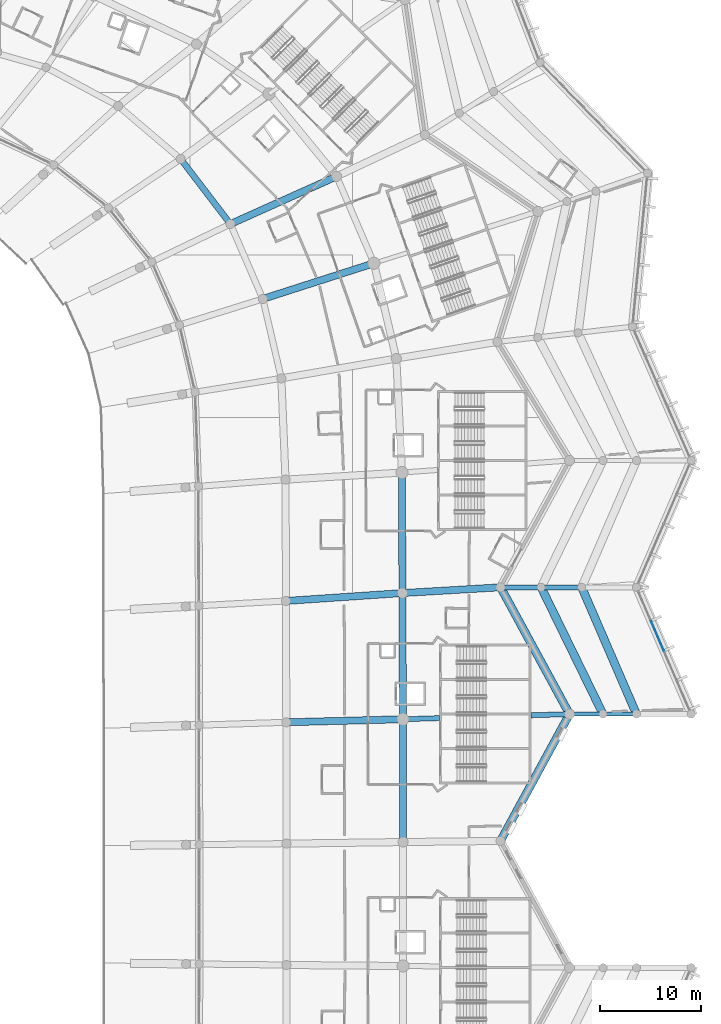
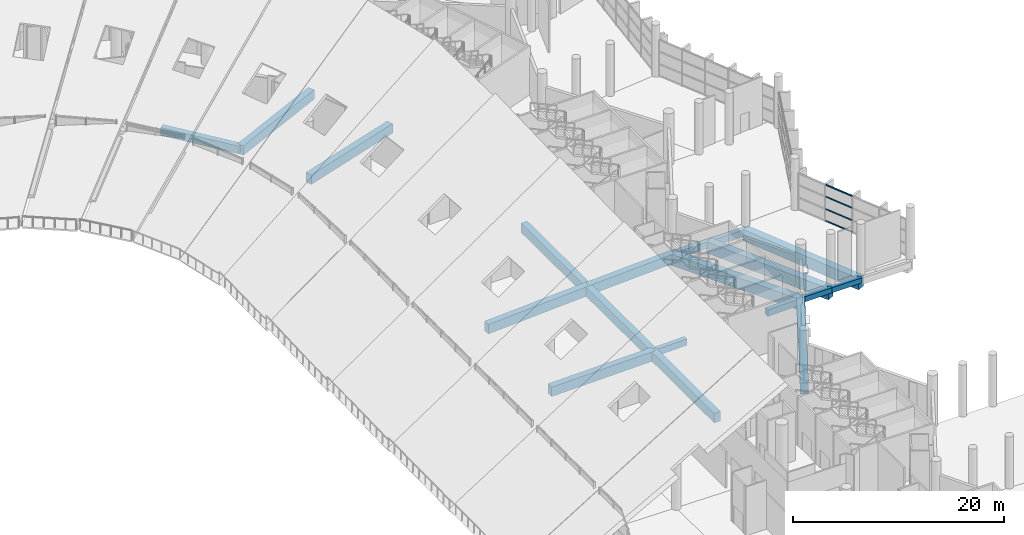
# One storey, part 80 of 249: 19 beams, 4 members, 1 element without a shape of its own.
"""IFC4 building model written with IfcOpenShell, lengths in metres."""

from ifc_helpers import new_model, si_unit, direction, frame, origin, origin_2d, place, context, subcontext, project, spatial, rectangle, extrude, material, layer, layer_set, material_profile, profile_set, type_object, element, aggregate, save


model = new_model("IFC4")

# Units and contexts
model_context = context("Model", 3, precision=1e-05, world=origin(), true_north=direction((0.0, 1.0)))
body_context = subcontext(model_context, "Body", "Model", "MODEL_VIEW")
ifc_project = project(units=[si_unit("LENGTHUNIT", "METRE"), si_unit("AREAUNIT", "SQUARE_METRE"), si_unit("VOLUMEUNIT", "CUBIC_METRE"), si_unit("PLANEANGLEUNIT", "RADIAN"), si_unit("MASSUNIT", "GRAM", prefix="KILO")], contexts=[model_context])

# Site, building, storey
site_placement = place(None, origin())
site = spatial("IfcSite", under=ifc_project, at=site_placement, CompositionType="ELEMENT")
building_placement = place(site_placement, origin())
building = spatial("IfcBuilding", under=site, at=building_placement, Name="Meseta Stadium", CompositionType="ELEMENT")
storey_placement = place(building_placement, frame((0.0, 0.0, 12.0)))
storey = spatial("IfcBuildingStorey", under=building, at=storey_placement, Name="L02", CompositionType="ELEMENT", Elevation=12.0)

# Beams
ifc_material_1 = material(Name="Concrete C40/50", Category="concrete")
ifc_material_profile_1 = material_profile(ifc_material_1, rectangle(XDim=0.39990234375, YDim=0.60009765625, at=origin_2d()), Name="RC 400x600")
ifc_profile_set_1 = profile_set([ifc_material_profile_1], Name="Concrete C40/50")
beam_type_1 = type_object("IfcBeamType", Name="RC beam 400x600", PredefinedType="BEAM", material=ifc_profile_set_1)
for number, where, z_axis, x_axis, name in (
    (1, (101.39990234375, 18.75, -0.64990234375), (1.0, 0.0, 0.0), (0.0, 1.0, 0.0), "L02 radial beam frame 6 line R to M"),
    (2, (104.699951171875, 18.75, -0.64990234375), (1.0, 0.0, 0.0), (0.0, 1.0, 0.0), "L02 radial beam frame 6 line M to Q"),
):
    element("IfcBeam", number, at=place(storey_placement, frame(where, z_axis=z_axis, x_axis=x_axis)), inside=storey, type_object=beam_type_1, Name=name, PredefinedType="BEAM", context=body_context, shape_type="SweptSolid", body=[
        extrude(rectangle(XDim=0.39990234375, YDim=0.60009765625, at=origin_2d()), origin(), (0.0, 0.0, 1.0), 3.300048828125),
    ])
ifc_material_2 = material(Name="Concrete C40/50", Category="concrete")
ifc_material_profile_2 = material_profile(ifc_material_2, rectangle(XDim=0.5, YDim=0.75, at=origin_2d()), Name="RC 500x750")
ifc_profile_set_2 = profile_set([ifc_material_profile_2], Name="Concrete C40/50")
beam_type_2 = type_object("IfcBeamType", Name="RC beam 500x750", PredefinedType="BEAM", material=ifc_profile_set_2)
beam_1_placement = place(storey_placement, frame((84.978515625, 18.24365234375, -0.72509765625), z_axis=(0.999525783299, 0.030792994672, 0.0), x_axis=(-0.030792994672, 0.999525783299, 0.0)))
element("IfcBeam", 3, at=beam_1_placement, inside=storey, type_object=beam_type_2, Name="L02 radial beam frame 6 line P to R", PredefinedType="BEAM", context=body_context, shape_type="SweptSolid", body=[
    extrude(rectangle(XDim=0.5, YDim=0.75, at=origin_2d()), origin(), (0.0, 0.0, 1.0), 3.623291015625),
])
beam_2_placement = place(storey_placement, frame((97.60009765625, 18.6328125, -0.72509765625), z_axis=(0.99952477381, 0.030825744759, 0.0), x_axis=(-0.030825744759, 0.99952477381, 0.0)))
element("IfcBeam", 4, at=beam_2_placement, inside=storey, type_object=beam_type_2, Name="L02 radial beam frame 6 line P to R", PredefinedType="BEAM", context=body_context, shape_type="SweptSolid", body=[
    extrude(rectangle(XDim=0.5, YDim=0.75, at=origin_2d()), origin(), (0.0, 0.0, 1.0), 3.801513671875),
])
for number, where, z_axis, x_axis, name in (
    (5, (94.60009765625, 31.25, -0.72509765625), (1.0, 0.0, 0.0), (0.0, 1.0, 0.0), "L02 radial beam frame 7 line R to M"),
    (6, (98.60009765625, 31.25, -0.72509765625), (1.0, 0.0, 0.0), (0.0, 1.0, 0.0), "L02 radial beam frame 7 line M to Q"),
):
    element("IfcBeam", number, at=place(storey_placement, frame(where, z_axis=z_axis, x_axis=x_axis)), inside=storey, type_object=beam_type_2, Name=name, PredefinedType="BEAM", context=body_context, shape_type="SweptSolid", body=[
        extrude(rectangle(XDim=0.5, YDim=0.75, at=origin_2d()), origin(), (0.0, 0.0, 1.0), 4.0),
    ])
ifc_material_3 = material(Name="Concrete C40/50", Category="concrete")
ifc_material_profile_3 = material_profile(ifc_material_3, rectangle(XDim=0.60009765625, YDim=0.89990234375, at=origin_2d()), Name="RC 600x900")
ifc_profile_set_3 = profile_set([ifc_material_profile_3], Name="Concrete C40/50")
beam_type_3 = type_object("IfcBeamType", Name="RC beam 600x900", PredefinedType="BEAM", material=ifc_profile_set_3)
beam_3_placement = place(storey_placement, frame((67.972412109375, 67.057861328125, -0.800048828125), z_axis=(-0.607521948786, 0.794302890428, 0.0), x_axis=(-0.794302890428, -0.607521948786, 0.0)))
element("IfcBeam", 7, at=beam_3_placement, inside=storey, type_object=beam_type_3, Name="L02 ring beam frame 11 line E", PredefinedType="BEAM", context=body_context, shape_type="SweptSolid", body=[
    extrude(rectangle(XDim=0.60009765625, YDim=0.89990234375, at=origin_2d()), origin(), (0.0, 0.0, 1.0), 8.072509765625),
])
ifc_material_4 = material(Name="Concrete C40/50", Category="concrete")
ifc_material_profile_4 = material_profile(ifc_material_4, rectangle(XDim=0.699951171875, YDim=1.10009765625, at=origin_2d()), Name="RC 700x1100")
ifc_profile_set_4 = profile_set([ifc_material_profile_4], Name="Concrete C40/50")
beam_type_4 = type_object("IfcBeamType", Name="RC beam 700x1100", PredefinedType="BEAM", material=ifc_profile_set_4)
beam_4_placement = place(storey_placement, frame((84.9970703125, 6.13720703125, -0.89990234375), z_axis=(-0.001532627062, 0.999998825526, 0.0), x_axis=(-0.999998825526, -0.001532627062, 0.0)))
element("IfcBeam", 8, at=beam_4_placement, inside=storey, type_object=beam_type_4, Name="L02 ring beam frame 5 line P", PredefinedType="BEAM", context=body_context, shape_type="SweptSolid", body=[
    extrude(rectangle(XDim=0.699951171875, YDim=1.10009765625, at=origin_2d()), origin(), (0.0, 0.0, 1.0), 12.1064453125),
])
beam_5_placement = place(storey_placement, frame((84.978515625, 18.24365234375, -0.89990234375), z_axis=(-0.004279001378, 0.999990845032, 0.0), x_axis=(-0.999990845032, -0.004279001378, 0.0)))
element("IfcBeam", 9, at=beam_5_placement, inside=storey, type_object=beam_type_4, Name="L02 ring beam frame 6 line P", PredefinedType="BEAM", context=body_context, shape_type="SweptSolid", body=[
    extrude(rectangle(XDim=0.699951171875, YDim=1.10009765625, at=origin_2d()), origin(), (0.0, 0.0, 1.0), 12.43798828125),
])
beam_6_placement = place(storey_placement, frame((84.92529296875, 30.681640625, -0.89990234375), z_axis=(-0.003473057557, 0.999993968917, 0.0), x_axis=(-0.999993968917, -0.003473057557, 0.0)))
element("IfcBeam", 10, at=beam_6_placement, inside=storey, type_object=beam_type_4, Name="L02 ring beam frame 7 line P", PredefinedType="BEAM", context=body_context, shape_type="SweptSolid", body=[
    extrude(rectangle(XDim=0.699951171875, YDim=1.10009765625, at=origin_2d()), origin(), (0.0, 0.0, 1.0), 11.8798828125),
])
beam_7_placement = place(storey_placement, frame((73.482421875, 17.943603515625, -0.89990234375), z_axis=(0.999659567147, 0.026091182637, 0.0), x_axis=(-0.026091182637, 0.999659567147, 0.0)))
element("IfcBeam", 11, at=beam_7_placement, inside=storey, type_object=beam_type_4, Name="L02 radial beam frame 6 line E to P", PredefinedType="BEAM", context=body_context, shape_type="SweptSolid", body=[
    extrude(rectangle(XDim=0.699951171875, YDim=1.10009765625, at=origin_2d()), origin(), (0.0, 0.0, 1.0), 11.5),
])
beam_8_placement = place(storey_placement, frame((73.451416015625, 29.904052734375, -0.89990234375), z_axis=(0.997711474421, 0.067615189183, 0.0), x_axis=(-0.067615189183, 0.997711474421, 0.0)))
element("IfcBeam", 12, at=beam_8_placement, inside=storey, type_object=beam_type_4, Name="L02 radial beam frame 7 line E to P", PredefinedType="BEAM", context=body_context, shape_type="SweptSolid", body=[
    extrude(rectangle(XDim=0.699951171875, YDim=1.10009765625, at=origin_2d()), origin(), (0.0, 0.0, 1.0), 11.500244140625),
])
beam_9_placement = place(storey_placement, frame((84.92529296875, 30.681640625, -0.89990234375), z_axis=(0.998278887273, 0.058645231896, 0.0), x_axis=(-0.058645231896, 0.998278887273, 0.0)))
element("IfcBeam", 13, at=beam_9_placement, inside=storey, type_object=beam_type_4, Name="L02 radial beam frame 7 line P to R", PredefinedType="BEAM", context=body_context, shape_type="SweptSolid", body=[
    extrude(rectangle(XDim=0.699951171875, YDim=1.10009765625, at=origin_2d()), origin(), (0.0, 0.0, 1.0), 9.69140625),
])
beam_10_placement = place(storey_placement, frame((71.169677734375, 59.67724609375, -0.89990234375), z_axis=(0.952175117954, 0.305552850992, 0.0), x_axis=(-0.305552850992, 0.952175117954, 0.0)))
element("IfcBeam", 14, at=beam_10_placement, inside=storey, type_object=beam_type_4, Name="L02 radial beam frame 10 line E to P", PredefinedType="BEAM", context=body_context, shape_type="SweptSolid", body=[
    extrude(rectangle(XDim=0.699951171875, YDim=1.10009765625, at=origin_2d()), origin(), (0.0, 0.0, 1.0), 11.500244140625),
])
beam_11_placement = place(storey_placement, frame((67.972412109375, 67.057861328125, -0.89990234375), z_axis=(0.912395676752, 0.409309331734, 0.0), x_axis=(-0.409309331734, 0.912395676752, 0.0)))
element("IfcBeam", 15, at=beam_11_placement, inside=storey, type_object=beam_type_4, Name="L02 radial beam frame 11 line E to P", PredefinedType="BEAM", context=body_context, shape_type="SweptSolid", body=[
    extrude(rectangle(XDim=0.699951171875, YDim=1.10009765625, at=origin_2d()), origin(), (0.0, 0.0, 1.0), 11.478515625),
])
ifc_material_5 = material(Name="Concrete C40/50", Category="concrete")
ifc_material_profile_5 = material_profile(ifc_material_5, rectangle(XDim=0.800048828125, YDim=1.300048828125, at=origin_2d()), Name="RC 800x1300")
ifc_profile_set_5 = profile_set([ifc_material_profile_5], Name="Concrete C40/50")
beam_type_5 = type_object("IfcBeamType", Name="RC beam 800x1300", PredefinedType="BEAM", material=ifc_profile_set_5)
for number, where, z_axis, x_axis, name in (
    (16, (94.60009765625, 6.25, -1.0), (0.47785649891, 0.878437912689, 0.0), (-0.878437912689, 0.47785649891, 0.0), "L02 ring beam frame 5 line R"),
    (17, (101.39990234375, 18.75, -1.0), (-0.47785649891, 0.878437912689, 0.0), (-0.878437912689, -0.47785649891, 0.0), "L02 ring beam frame 6 line R"),
):
    element("IfcBeam", number, at=place(storey_placement, frame(where, z_axis=z_axis, x_axis=x_axis)), inside=storey, type_object=beam_type_5, Name=name, PredefinedType="BEAM", context=body_context, shape_type="SweptSolid", body=[
        extrude(rectangle(XDim=0.800048828125, YDim=1.300048828125, at=origin_2d()), origin(), (0.0, 0.0, 1.0), 14.229736328125),
    ])
beam_12_placement = place(storey_placement, frame((104.699951171875, 18.75, -1.0), z_axis=(-0.438556770405, 0.898703487882, 0.0), x_axis=(-0.898703487882, -0.438556770405, 0.0)))
element("IfcBeam", 18, at=beam_12_placement, inside=storey, type_object=beam_type_5, Name="L02 ring beam frame 6 line M", PredefinedType="BEAM", context=body_context, shape_type="SweptSolid", body=[
    extrude(rectangle(XDim=0.800048828125, YDim=1.300048828125, at=origin_2d()), origin(), (0.0, 0.0, 1.0), 13.908935546875),
])
beam_13_placement = place(storey_placement, frame((108.0, 18.75, -1.0), z_axis=(-0.396570645327, 0.918004206562, 0.0), x_axis=(-0.918004206562, -0.396570645327, 0.0)))
element("IfcBeam", 19, at=beam_13_placement, inside=storey, type_object=beam_type_5, Name="L02 ring beam frame 6 line Q", PredefinedType="BEAM", context=body_context, shape_type="SweptSolid", body=[
    extrude(rectangle(XDim=0.800048828125, YDim=1.300048828125, at=origin_2d()), origin(), (0.0, 0.0, 1.0), 13.616455078125),
])

# Curtain wall, members
ifc_material_6 = material(Name="Aluminium", Category="aluminium")
ifc_layer = layer(ifc_material_6, 0.199951171875)
ifc_layer_set = layer_set([ifc_layer], Name="Ring shopfront curtain wall")
curtain_wall_type = type_object("IfcCurtainWallType", Name="Ring shopfront curtain wall", PredefinedType="NOTDEFINED", material=ifc_layer_set)
curtain_wall_placement = place(storey_placement, origin())
curtain_wall = element("IfcCurtainWall", 20, at=curtain_wall_placement, inside=storey, type_object=curtain_wall_type, Name="Ring glazing L02 F06", PredefinedType="NOTDEFINED")
ifc_material_7 = material(Name="Aluminium", Category="aluminium")
ifc_material_profile_6 = material_profile(ifc_material_7, rectangle(XDim=0.06005859375, YDim=0.14990234375, at=origin_2d()), Name="CW 60x150")
ifc_profile_set_6 = profile_set([ifc_material_profile_6], Name="Aluminium")
member_type = type_object("IfcMemberType", Name="Ring CW transom 60x150", PredefinedType="USERDEFINED", material=ifc_profile_set_6)
member_1_placement = place(storey_placement, frame((110.68798828125, 25.027587890625, 0.074951171875), z_axis=(-0.396569883564, 0.918004535637, 0.0), x_axis=(-0.918004535637, -0.396569883564, 0.0)))
member_1 = element("IfcMember", 21, at=member_1_placement, type_object=member_type, Name="CWR1 transom 3.1", ObjectType="TRANSOM", PredefinedType="USERDEFINED", context=body_context, shape_type="SweptSolid", body=[
    extrude(rectangle(XDim=0.06005859375, YDim=0.14990234375, at=origin_2d()), origin(), (0.0, 0.0, 1.0), 3.14404296875),
])
member_2_placement = place(storey_placement, frame((110.68798828125, 25.027587890625, 1.433349609375), z_axis=(-0.396569883564, 0.918004535637, 0.0), x_axis=(-0.918004535637, -0.396569883564, 0.0)))
member_2 = element("IfcMember", 22, at=member_2_placement, type_object=member_type, Name="CWR1 transom 3.2", ObjectType="TRANSOM", PredefinedType="USERDEFINED", context=body_context, shape_type="SweptSolid", body=[
    extrude(rectangle(XDim=0.06005859375, YDim=0.14990234375, at=origin_2d()), origin(), (0.0, 0.0, 1.0), 3.14404296875),
])
member_3_placement = place(storey_placement, frame((110.68798828125, 25.027587890625, 2.86669921875), z_axis=(-0.396569883564, 0.918004535637, 0.0), x_axis=(-0.918004535637, -0.396569883564, 0.0)))
member_3 = element("IfcMember", 23, at=member_3_placement, type_object=member_type, Name="CWR1 transom 3.3", ObjectType="TRANSOM", PredefinedType="USERDEFINED", context=body_context, shape_type="SweptSolid", body=[
    extrude(rectangle(XDim=0.06005859375, YDim=0.14990234375, at=origin_2d()), origin(), (0.0, 0.0, 1.0), 3.14404296875),
])
member_4_placement = place(storey_placement, frame((110.68798828125, 25.027587890625, 4.22509765625), z_axis=(-0.396569883564, 0.918004535637, 0.0), x_axis=(-0.918004535637, -0.396569883564, 0.0)))
member_4 = element("IfcMember", 24, at=member_4_placement, type_object=member_type, Name="CWR1 transom 3.4", ObjectType="TRANSOM", PredefinedType="USERDEFINED", context=body_context, shape_type="SweptSolid", body=[
    extrude(rectangle(XDim=0.06005859375, YDim=0.14990234375, at=origin_2d()), origin(), (0.0, 0.0, 1.0), 3.14404296875),
])
aggregate(curtain_wall, [member_1, member_2, member_3, member_4])

save(model, "model.ifc")
